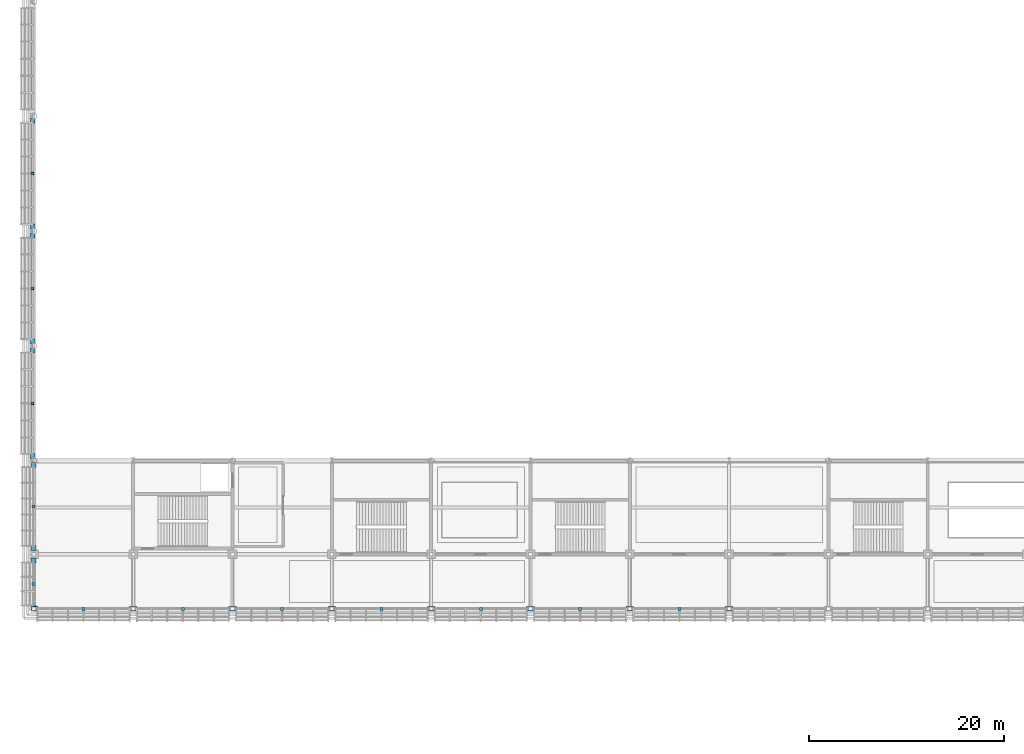
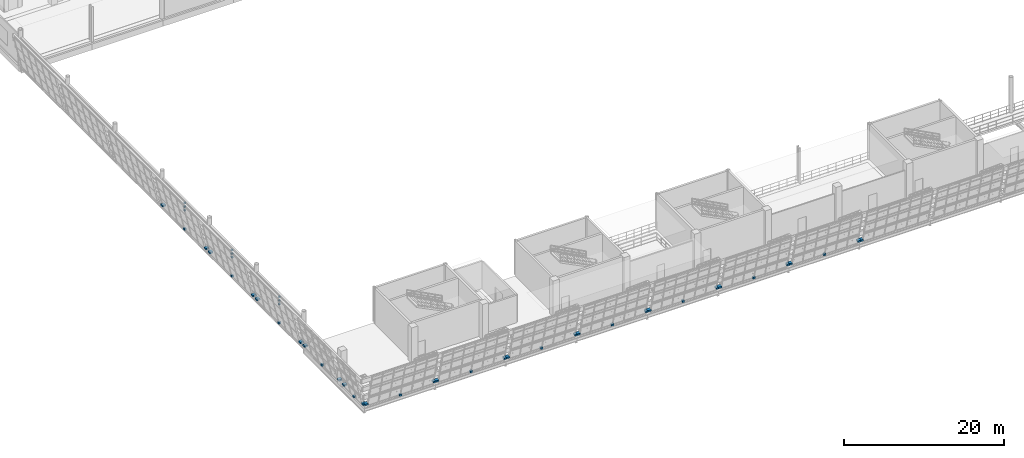
# One storey, part 142 of 175: 46 discrete accessories.
"""IFC4 building model written with IfcOpenShell, lengths in metres."""

from ifc_helpers import new_model, si_unit, direction, frame, origin, origin_2d, place, context, subcontext, project, spatial, rectangle, extrude, material, type_object, element, save


model = new_model("IFC4")

# Units and contexts
model_context = context("Model", 3, precision=1e-05, world=origin(), true_north=direction((0.0, 1.0)))
body_context = subcontext(model_context, "Body", "Model", "MODEL_VIEW")
ifc_project = project(units=[si_unit("LENGTHUNIT", "METRE"), si_unit("AREAUNIT", "SQUARE_METRE"), si_unit("VOLUMEUNIT", "CUBIC_METRE"), si_unit("PLANEANGLEUNIT", "RADIAN"), si_unit("MASSUNIT", "GRAM", prefix="KILO")], contexts=[model_context])

# Site, building, storey
site_placement = place(None, origin())
site = spatial("IfcSite", under=ifc_project, at=site_placement, CompositionType="ELEMENT")
building_placement = place(site_placement, origin())
building = spatial("IfcBuilding", under=site, at=building_placement, Name="Brelvane Convention Centre", CompositionType="ELEMENT")
storey_placement = place(building_placement, frame((0.0, 0.0, 5.39990234375)))
storey = spatial("IfcBuildingStorey", under=building, at=storey_placement, Name="L01", CompositionType="ELEMENT", Elevation=5.39990234375)

# Discrete accessories
ifc_material_1 = material(Name="Steel E350 (350 MPa)", Category="steel")
discrete_accessory_type_1 = type_object("IfcDiscreteAccessoryType", Name="Facade Outrigger Bracket BRK-01", PredefinedType="BRACKET", material=ifc_material_1)
for number, where, z_axis, x_axis, name in (
    (1, (-0.14501953125, 34.699951171875, 3.8701171875), (0.0, 0.0, 1.0), (1.0, 0.0, 0.0), "Copper Band Support Bracket L01-V1W-L01-1-1"),
    (2, (-0.14501953125, 34.699951171875, 3.3203125), (0.0, 0.0, 1.0), (1.0, 0.0, 0.0), "Copper Band Support Bracket L01-V1W-L01-1-2"),
    (3, (-0.14501953125, 34.699951171875, 2.77001953125), (0.0, 0.0, 1.0), (1.0, 0.0, 0.0), "Copper Band Support Bracket L01-V1W-L01-1-3"),
    (4, (-0.14501953125, 46.5, 3.8701171875), (0.0, 0.0, 1.0), (1.0, 0.0, 0.0), "Copper Band Support Bracket L01-V1W-L01-2-1"),
    (5, (-0.14501953125, 46.5, 3.3203125), (0.0, 0.0, 1.0), (1.0, 0.0, 0.0), "Copper Band Support Bracket L01-V1W-L01-2-2"),
    (6, (-0.14501953125, 46.5, 2.77001953125), (0.0, 0.0, 1.0), (1.0, 0.0, 0.0), "Copper Band Support Bracket L01-V1W-L01-2-3"),
    (7, (-0.14501953125, 58.300048828125, 3.8701171875), (0.0, 0.0, 1.0), (1.0, 0.0, 0.0), "Copper Band Support Bracket L01-V1W-L01-3-1"),
    (8, (-0.14501953125, 58.300048828125, 3.3203125), (0.0, 0.0, 1.0), (1.0, 0.0, 0.0), "Copper Band Support Bracket L01-V1W-L01-3-2"),
    (9, (-0.14501953125, 58.300048828125, 2.77001953125), (0.0, 0.0, 1.0), (1.0, 0.0, 0.0), "Copper Band Support Bracket L01-V1W-L01-3-3"),
):
    element("IfcDiscreteAccessory", number, at=place(storey_placement, frame(where, z_axis=z_axis, x_axis=x_axis)), inside=storey, type_object=discrete_accessory_type_1, Name=name, PredefinedType="BRACKET", context=body_context, shape_type="SweptSolid", body=[
        extrude(rectangle(XDim=0.260009765625, YDim=0.260009765625, at=origin_2d()), origin(), (0.0, 0.0, 1.0), 0.179931640625),
    ])
ifc_material_2 = material(Name="Steel E350 (350 MPa)", Category="steel")
discrete_accessory_type_2 = type_object("IfcDiscreteAccessoryType", Name="Facade Outrigger Bracket BRK-02", PredefinedType="BRACKET", material=ifc_material_2)
for number, where, z_axis, x_axis, name in (
    (10, (0.159912109375, 13.60009765625, 0.22998046875), (0.0, 0.0, 1.0), (1.0, 0.0, 0.0), "Curtain Wall Anchor Bracket L01-HULL-S-L01-01-L"),
    (11, (10.0400390625, 13.60009765625, 0.22998046875), (0.0, 0.0, 1.0), (1.0, 0.0, 0.0), "Curtain Wall Anchor Bracket L01-HULL-S-L01-01-R"),
):
    element("IfcDiscreteAccessory", number, at=place(storey_placement, frame(where, z_axis=z_axis, x_axis=x_axis)), inside=storey, type_object=discrete_accessory_type_2, Name=name, PredefinedType="BRACKET", context=body_context, shape_type="SweptSolid", body=[
        extrude(rectangle(XDim=0.47998046875, YDim=0.47998046875, at=origin_2d()), origin(), (0.0, 0.0, 1.0), 0.239990234375),
    ])
discrete_accessory_1_placement = place(storey_placement, frame((5.10009765625, 13.60009765625, -0.14013671875), z_axis=(0.0, 0.0, 1.0), x_axis=(1.0, 0.0, 0.0)))
element("IfcDiscreteAccessory", 12, at=discrete_accessory_1_placement, inside=storey, type_object=discrete_accessory_type_2, Name="Curtain Wall Anchor Bracket L01-HULL-S-L01-01-B", PredefinedType="BRACKET", context=body_context, shape_type="SweptSolid", body=[
    extrude(rectangle(XDim=0.320068359375, YDim=0.320068359375, at=origin_2d()), origin(), (0.0, 0.0, 1.0), 0.280029296875),
])
for number, where, z_axis, x_axis, name in (
    (13, (10.360107421875, 13.60009765625, 0.22998046875), (0.0, 0.0, 1.0), (1.0, 0.0, 0.0), "Curtain Wall Anchor Bracket L01-HULL-S-L01-02-L"),
    (14, (20.239990234375, 13.60009765625, 0.22998046875), (0.0, 0.0, 1.0), (1.0, 0.0, 0.0), "Curtain Wall Anchor Bracket L01-HULL-S-L01-02-R"),
):
    element("IfcDiscreteAccessory", number, at=place(storey_placement, frame(where, z_axis=z_axis, x_axis=x_axis)), inside=storey, type_object=discrete_accessory_type_2, Name=name, PredefinedType="BRACKET", context=body_context, shape_type="SweptSolid", body=[
        extrude(rectangle(XDim=0.47998046875, YDim=0.47998046875, at=origin_2d()), origin(), (0.0, 0.0, 1.0), 0.239990234375),
    ])
discrete_accessory_2_placement = place(storey_placement, frame((15.300048828125, 13.60009765625, -0.14013671875), z_axis=(0.0, 0.0, 1.0), x_axis=(1.0, 0.0, 0.0)))
element("IfcDiscreteAccessory", 15, at=discrete_accessory_2_placement, inside=storey, type_object=discrete_accessory_type_2, Name="Curtain Wall Anchor Bracket L01-HULL-S-L01-02-B", PredefinedType="BRACKET", context=body_context, shape_type="SweptSolid", body=[
    extrude(rectangle(XDim=0.320068359375, YDim=0.320068359375, at=origin_2d()), origin(), (0.0, 0.0, 1.0), 0.280029296875),
])
for number, where, z_axis, x_axis, name in (
    (16, (20.56005859375, 13.60009765625, 0.22998046875), (0.0, 0.0, 1.0), (1.0, 0.0, 0.0), "Curtain Wall Anchor Bracket L01-HULL-S-L01-03-L"),
    (17, (30.43994140625, 13.60009765625, 0.22998046875), (0.0, 0.0, 1.0), (1.0, 0.0, 0.0), "Curtain Wall Anchor Bracket L01-HULL-S-L01-03-R"),
):
    element("IfcDiscreteAccessory", number, at=place(storey_placement, frame(where, z_axis=z_axis, x_axis=x_axis)), inside=storey, type_object=discrete_accessory_type_2, Name=name, PredefinedType="BRACKET", context=body_context, shape_type="SweptSolid", body=[
        extrude(rectangle(XDim=0.47998046875, YDim=0.47998046875, at=origin_2d()), origin(), (0.0, 0.0, 1.0), 0.239990234375),
    ])
discrete_accessory_3_placement = place(storey_placement, frame((25.5, 13.60009765625, -0.14013671875), z_axis=(0.0, 0.0, 1.0), x_axis=(1.0, 0.0, 0.0)))
element("IfcDiscreteAccessory", 18, at=discrete_accessory_3_placement, inside=storey, type_object=discrete_accessory_type_2, Name="Curtain Wall Anchor Bracket L01-HULL-S-L01-03-B", PredefinedType="BRACKET", context=body_context, shape_type="SweptSolid", body=[
    extrude(rectangle(XDim=0.320068359375, YDim=0.320068359375, at=origin_2d()), origin(), (0.0, 0.0, 1.0), 0.280029296875),
])
for number, where, z_axis, x_axis, name in (
    (19, (30.760009765625, 13.60009765625, 0.22998046875), (0.0, 0.0, 1.0), (1.0, 0.0, 0.0), "Curtain Wall Anchor Bracket L01-HULL-S-L01-04-L"),
    (20, (40.639892578125, 13.60009765625, 0.22998046875), (0.0, 0.0, 1.0), (1.0, 0.0, 0.0), "Curtain Wall Anchor Bracket L01-HULL-S-L01-04-R"),
):
    element("IfcDiscreteAccessory", number, at=place(storey_placement, frame(where, z_axis=z_axis, x_axis=x_axis)), inside=storey, type_object=discrete_accessory_type_2, Name=name, PredefinedType="BRACKET", context=body_context, shape_type="SweptSolid", body=[
        extrude(rectangle(XDim=0.47998046875, YDim=0.47998046875, at=origin_2d()), origin(), (0.0, 0.0, 1.0), 0.239990234375),
    ])
discrete_accessory_4_placement = place(storey_placement, frame((35.699951171875, 13.60009765625, -0.14013671875), z_axis=(0.0, 0.0, 1.0), x_axis=(1.0, 0.0, 0.0)))
element("IfcDiscreteAccessory", 21, at=discrete_accessory_4_placement, inside=storey, type_object=discrete_accessory_type_2, Name="Curtain Wall Anchor Bracket L01-HULL-S-L01-04-B", PredefinedType="BRACKET", context=body_context, shape_type="SweptSolid", body=[
    extrude(rectangle(XDim=0.320068359375, YDim=0.320068359375, at=origin_2d()), origin(), (0.0, 0.0, 1.0), 0.280029296875),
])
for number, where, z_axis, x_axis, name in (
    (22, (40.9599609375, 13.60009765625, 0.22998046875), (0.0, 0.0, 1.0), (1.0, 0.0, 0.0), "Curtain Wall Anchor Bracket L01-HULL-S-L01-05-L"),
    (23, (50.840087890625, 13.60009765625, 0.22998046875), (0.0, 0.0, 1.0), (1.0, 0.0, 0.0), "Curtain Wall Anchor Bracket L01-HULL-S-L01-05-R"),
):
    element("IfcDiscreteAccessory", number, at=place(storey_placement, frame(where, z_axis=z_axis, x_axis=x_axis)), inside=storey, type_object=discrete_accessory_type_2, Name=name, PredefinedType="BRACKET", context=body_context, shape_type="SweptSolid", body=[
        extrude(rectangle(XDim=0.47998046875, YDim=0.47998046875, at=origin_2d()), origin(), (0.0, 0.0, 1.0), 0.239990234375),
    ])
discrete_accessory_5_placement = place(storey_placement, frame((45.89990234375, 13.60009765625, -0.14013671875), z_axis=(0.0, 0.0, 1.0), x_axis=(1.0, 0.0, 0.0)))
element("IfcDiscreteAccessory", 24, at=discrete_accessory_5_placement, inside=storey, type_object=discrete_accessory_type_2, Name="Curtain Wall Anchor Bracket L01-HULL-S-L01-05-B", PredefinedType="BRACKET", context=body_context, shape_type="SweptSolid", body=[
    extrude(rectangle(XDim=0.320068359375, YDim=0.320068359375, at=origin_2d()), origin(), (0.0, 0.0, 1.0), 0.280029296875),
])
for number, where, z_axis, x_axis, name in (
    (25, (51.159912109375, 13.60009765625, 0.22998046875), (0.0, 0.0, 1.0), (1.0, 0.0, 0.0), "Curtain Wall Anchor Bracket L01-HULL-S-L01-06-L"),
    (26, (61.0400390625, 13.60009765625, 0.22998046875), (0.0, 0.0, 1.0), (1.0, 0.0, 0.0), "Curtain Wall Anchor Bracket L01-HULL-S-L01-06-R"),
):
    element("IfcDiscreteAccessory", number, at=place(storey_placement, frame(where, z_axis=z_axis, x_axis=x_axis)), inside=storey, type_object=discrete_accessory_type_2, Name=name, PredefinedType="BRACKET", context=body_context, shape_type="SweptSolid", body=[
        extrude(rectangle(XDim=0.47998046875, YDim=0.47998046875, at=origin_2d()), origin(), (0.0, 0.0, 1.0), 0.239990234375),
    ])
discrete_accessory_6_placement = place(storey_placement, frame((56.10009765625, 13.60009765625, -0.14013671875), z_axis=(0.0, 0.0, 1.0), x_axis=(1.0, 0.0, 0.0)))
element("IfcDiscreteAccessory", 27, at=discrete_accessory_6_placement, inside=storey, type_object=discrete_accessory_type_2, Name="Curtain Wall Anchor Bracket L01-HULL-S-L01-06-B", PredefinedType="BRACKET", context=body_context, shape_type="SweptSolid", body=[
    extrude(rectangle(XDim=0.320068359375, YDim=0.320068359375, at=origin_2d()), origin(), (0.0, 0.0, 1.0), 0.280029296875),
])
for number, where, z_axis, x_axis, name in (
    (28, (61.360107421875, 13.60009765625, 0.22998046875), (0.0, 0.0, 1.0), (1.0, 0.0, 0.0), "Curtain Wall Anchor Bracket L01-HULL-S-L01-07-L"),
    (29, (71.239990234375, 13.60009765625, 0.22998046875), (0.0, 0.0, 1.0), (1.0, 0.0, 0.0), "Curtain Wall Anchor Bracket L01-HULL-S-L01-07-R"),
):
    element("IfcDiscreteAccessory", number, at=place(storey_placement, frame(where, z_axis=z_axis, x_axis=x_axis)), inside=storey, type_object=discrete_accessory_type_2, Name=name, PredefinedType="BRACKET", context=body_context, shape_type="SweptSolid", body=[
        extrude(rectangle(XDim=0.47998046875, YDim=0.47998046875, at=origin_2d()), origin(), (0.0, 0.0, 1.0), 0.239990234375),
    ])
discrete_accessory_7_placement = place(storey_placement, frame((66.300048828125, 13.60009765625, -0.14013671875), z_axis=(0.0, 0.0, 1.0), x_axis=(1.0, 0.0, 0.0)))
element("IfcDiscreteAccessory", 30, at=discrete_accessory_7_placement, inside=storey, type_object=discrete_accessory_type_2, Name="Curtain Wall Anchor Bracket L01-HULL-S-L01-07-B", PredefinedType="BRACKET", context=body_context, shape_type="SweptSolid", body=[
    extrude(rectangle(XDim=0.320068359375, YDim=0.320068359375, at=origin_2d()), origin(), (0.0, 0.0, 1.0), 0.280029296875),
])
for number, where, z_axis, x_axis, name in (
    (31, (71.56005859375, 13.60009765625, 0.22998046875), (0.0, 0.0, 1.0), (1.0, 0.0, 0.0), "Curtain Wall Anchor Bracket L01-HULL-S-L01-08-L"),
    (32, (-0.0400390625, 13.739990234375, 0.22998046875), (0.0, 0.0, 1.0), (1.0, 0.0, 0.0), "Curtain Wall Anchor Bracket L01-HULL-W-GAL-L01-A-L"),
    (33, (-0.0400390625, 18.56005859375, 0.22998046875), (0.0, 0.0, 1.0), (1.0, 0.0, 0.0), "Curtain Wall Anchor Bracket L01-HULL-W-GAL-L01-A-R"),
):
    element("IfcDiscreteAccessory", number, at=place(storey_placement, frame(where, z_axis=z_axis, x_axis=x_axis)), inside=storey, type_object=discrete_accessory_type_2, Name=name, PredefinedType="BRACKET", context=body_context, shape_type="SweptSolid", body=[
        extrude(rectangle(XDim=0.47998046875, YDim=0.47998046875, at=origin_2d()), origin(), (0.0, 0.0, 1.0), 0.239990234375),
    ])
discrete_accessory_8_placement = place(storey_placement, frame((-0.0400390625, 16.14990234375, -0.14013671875), z_axis=(0.0, 0.0, 1.0), x_axis=(1.0, 0.0, 0.0)))
element("IfcDiscreteAccessory", 34, at=discrete_accessory_8_placement, inside=storey, type_object=discrete_accessory_type_2, Name="Curtain Wall Anchor Bracket L01-HULL-W-GAL-L01-A-B", PredefinedType="BRACKET", context=body_context, shape_type="SweptSolid", body=[
    extrude(rectangle(XDim=0.320068359375, YDim=0.320068359375, at=origin_2d()), origin(), (0.0, 0.0, 1.0), 0.280029296875),
])
for number, where, z_axis, x_axis, name in (
    (35, (-0.0400390625, 19.840087890625, 0.22998046875), (0.0, 0.0, 1.0), (1.0, 0.0, 0.0), "Curtain Wall Anchor Bracket L01-HULL-W-GAL-L01-B-L"),
    (36, (-0.0400390625, 28.360107421875, 0.22998046875), (0.0, 0.0, 1.0), (1.0, 0.0, 0.0), "Curtain Wall Anchor Bracket L01-HULL-W-GAL-L01-B-R"),
):
    element("IfcDiscreteAccessory", number, at=place(storey_placement, frame(where, z_axis=z_axis, x_axis=x_axis)), inside=storey, type_object=discrete_accessory_type_2, Name=name, PredefinedType="BRACKET", context=body_context, shape_type="SweptSolid", body=[
        extrude(rectangle(XDim=0.47998046875, YDim=0.47998046875, at=origin_2d()), origin(), (0.0, 0.0, 1.0), 0.239990234375),
    ])
discrete_accessory_9_placement = place(storey_placement, frame((-0.0400390625, 24.10009765625, -0.14013671875), z_axis=(0.0, 0.0, 1.0), x_axis=(1.0, 0.0, 0.0)))
element("IfcDiscreteAccessory", 37, at=discrete_accessory_9_placement, inside=storey, type_object=discrete_accessory_type_2, Name="Curtain Wall Anchor Bracket L01-HULL-W-GAL-L01-B-B", PredefinedType="BRACKET", context=body_context, shape_type="SweptSolid", body=[
    extrude(rectangle(XDim=0.320068359375, YDim=0.320068359375, at=origin_2d()), origin(), (0.0, 0.0, 1.0), 0.280029296875),
])
for number, where, z_axis, x_axis, name in (
    (38, (-0.139892578125, 29.2900390625, 0.25), (0.0, 0.0, 1.0), (1.0, 0.0, 0.0), "Curtain Wall Anchor Bracket L01-HULL-W-L01-1-L"),
    (39, (-0.139892578125, 40.110107421875, 0.25), (0.0, 0.0, 1.0), (1.0, 0.0, 0.0), "Curtain Wall Anchor Bracket L01-HULL-W-L01-1-R"),
):
    element("IfcDiscreteAccessory", number, at=place(storey_placement, frame(where, z_axis=z_axis, x_axis=x_axis)), inside=storey, type_object=discrete_accessory_type_2, Name=name, PredefinedType="BRACKET", context=body_context, shape_type="SweptSolid", body=[
        extrude(rectangle(XDim=0.47998046875, YDim=0.47998046875, at=origin_2d()), origin(), (0.0, 0.0, 1.0), 0.239990234375),
    ])
discrete_accessory_10_placement = place(storey_placement, frame((-0.139892578125, 34.699951171875, -0.1201171875), z_axis=(0.0, 0.0, 1.0), x_axis=(1.0, 0.0, 0.0)))
element("IfcDiscreteAccessory", 40, at=discrete_accessory_10_placement, inside=storey, type_object=discrete_accessory_type_2, Name="Curtain Wall Anchor Bracket L01-HULL-W-L01-1-B", PredefinedType="BRACKET", context=body_context, shape_type="SweptSolid", body=[
    extrude(rectangle(XDim=0.320068359375, YDim=0.320068359375, at=origin_2d()), origin(), (0.0, 0.0, 1.0), 0.280029296875),
])
for number, where, z_axis, x_axis, name in (
    (41, (-0.139892578125, 41.090087890625, 0.25), (0.0, 0.0, 1.0), (1.0, 0.0, 0.0), "Curtain Wall Anchor Bracket L01-HULL-W-L01-2-L"),
    (42, (-0.139892578125, 51.909912109375, 0.25), (0.0, 0.0, 1.0), (1.0, 0.0, 0.0), "Curtain Wall Anchor Bracket L01-HULL-W-L01-2-R"),
):
    element("IfcDiscreteAccessory", number, at=place(storey_placement, frame(where, z_axis=z_axis, x_axis=x_axis)), inside=storey, type_object=discrete_accessory_type_2, Name=name, PredefinedType="BRACKET", context=body_context, shape_type="SweptSolid", body=[
        extrude(rectangle(XDim=0.47998046875, YDim=0.47998046875, at=origin_2d()), origin(), (0.0, 0.0, 1.0), 0.239990234375),
    ])
discrete_accessory_11_placement = place(storey_placement, frame((-0.139892578125, 46.5, -0.1201171875), z_axis=(0.0, 0.0, 1.0), x_axis=(1.0, 0.0, 0.0)))
element("IfcDiscreteAccessory", 43, at=discrete_accessory_11_placement, inside=storey, type_object=discrete_accessory_type_2, Name="Curtain Wall Anchor Bracket L01-HULL-W-L01-2-B", PredefinedType="BRACKET", context=body_context, shape_type="SweptSolid", body=[
    extrude(rectangle(XDim=0.320068359375, YDim=0.320068359375, at=origin_2d()), origin(), (0.0, 0.0, 1.0), 0.280029296875),
])
for number, where, z_axis, x_axis, name in (
    (44, (-0.139892578125, 52.889892578125, 0.25), (0.0, 0.0, 1.0), (1.0, 0.0, 0.0), "Curtain Wall Anchor Bracket L01-HULL-W-L01-3-L"),
    (45, (-0.139892578125, 63.7099609375, 0.25), (0.0, 0.0, 1.0), (1.0, 0.0, 0.0), "Curtain Wall Anchor Bracket L01-HULL-W-L01-3-R"),
):
    element("IfcDiscreteAccessory", number, at=place(storey_placement, frame(where, z_axis=z_axis, x_axis=x_axis)), inside=storey, type_object=discrete_accessory_type_2, Name=name, PredefinedType="BRACKET", context=body_context, shape_type="SweptSolid", body=[
        extrude(rectangle(XDim=0.47998046875, YDim=0.47998046875, at=origin_2d()), origin(), (0.0, 0.0, 1.0), 0.239990234375),
    ])
discrete_accessory_12_placement = place(storey_placement, frame((-0.139892578125, 58.300048828125, -0.1201171875), z_axis=(0.0, 0.0, 1.0), x_axis=(1.0, 0.0, 0.0)))
element("IfcDiscreteAccessory", 46, at=discrete_accessory_12_placement, inside=storey, type_object=discrete_accessory_type_2, Name="Curtain Wall Anchor Bracket L01-HULL-W-L01-3-B", PredefinedType="BRACKET", context=body_context, shape_type="SweptSolid", body=[
    extrude(rectangle(XDim=0.320068359375, YDim=0.320068359375, at=origin_2d()), origin(), (0.0, 0.0, 1.0), 0.280029296875),
])

save(model, "model.ifc")
